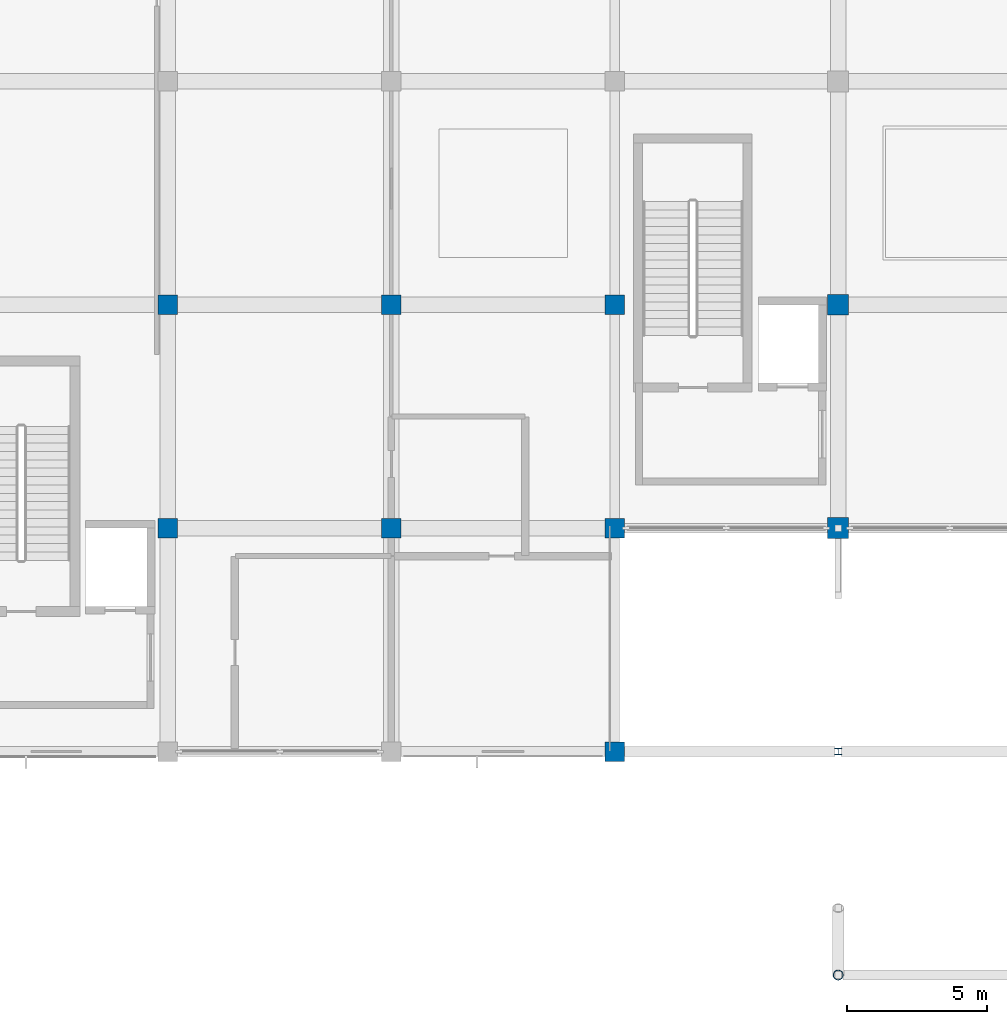
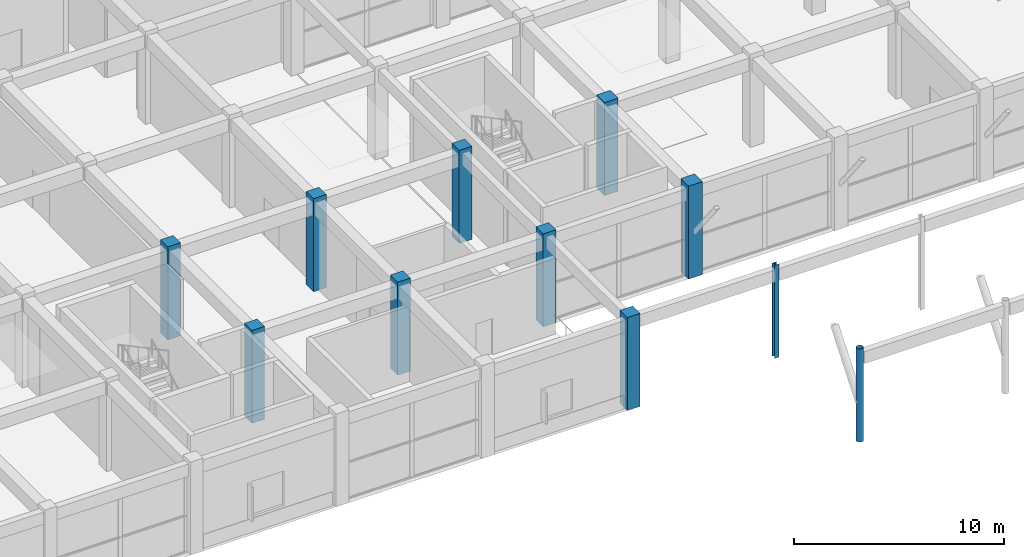
# One storey, part 2 of 69: 11 columns.
"""IFC4 building model written with IfcOpenShell, lengths in metres."""

import ifcopenshell
import ifcopenshell.guid

model = None  # the IFC model being written
_history = None  # IfcOwnerHistory: only IFC2X3 demands one
_inside = {}  # id of a spatial element -> (the spatial element, [elements in it])
_under = {}  # id of a project, library or spatial element -> (it, [spatial elements below it])
_declared = {}  # id of a project -> (the project, [libraries it declares])
_typed = {}  # id of a type object -> (the type object, [elements of that type])
_made_of = {}  # id of a material, layer set ... -> (it, [elements and type objects made of it])


def new_model(schema):
    """Start an empty IFC model of exactly this schema.

    Asked for "IFC4X3", IfcOpenShell would pick the latest addendum, in which some entities
    have other attributes; the version numbers below select the first issue.
    IFC2X3 requires an IfcOwnerHistory on every rooted entity: one is made here for all.
    """
    global model, _history
    if schema == "IFC4X3":
        model = ifcopenshell.file(schema_version=(4, 3, 0, 0))
    else:
        model = ifcopenshell.file(schema=schema)
    _inside.clear()
    _under.clear()
    _declared.clear()
    _typed.clear()
    _made_of.clear()
    _history = None
    if model.schema == "IFC2X3":
        org = make("IfcOrganization", Name="unknown")
        user = make(
            "IfcPersonAndOrganization",
            ThePerson=make("IfcPerson", FamilyName="unknown"),
            TheOrganization=org,
        )
        app = make(
            "IfcApplication",
            ApplicationDeveloper=org,
            Version="unknown",
            ApplicationFullName="unknown",
            ApplicationIdentifier="unknown",
        )
        _history = make(
            "IfcOwnerHistory",
            OwningUser=user,
            OwningApplication=app,
            ChangeAction="ADDED",
            CreationDate=0,
        )
    return model


def make(cls, **values):
    """One entity of the class cls with the attributes given. An attribute that is None is left unset."""
    return model.create_entity(
        cls, **{name: value for name, value in values.items() if value is not None}
    )


def rooted(cls, **values):
    """An entity with a GlobalId (a new one), such as an element, a storey or a relation."""
    return make(cls, GlobalId=ifcopenshell.guid.new(), OwnerHistory=_history, **values)


def si_unit(unit_type, name, prefix=None):
    """IfcSIUnit, for example si_unit("LENGTHUNIT", "METRE", prefix="MILLI")."""
    return make("IfcSIUnit", UnitType=unit_type, Prefix=prefix, Name=name)


def assignment(units):
    """IfcUnitAssignment: the units of a project."""
    return None if units is None else make("IfcUnitAssignment", Units=units)


def point(xyz):
    """IfcCartesianPoint."""
    return None if xyz is None else make("IfcCartesianPoint", Coordinates=xyz)


def direction(xyz):
    """IfcDirection."""
    return None if xyz is None else make("IfcDirection", DirectionRatios=xyz)


def frame(location, z_axis=None, x_axis=None):
    """IfcAxis2Placement3D, a coordinate frame: its origin and axes. An axis left out is left unset."""
    return make(
        "IfcAxis2Placement3D",
        Location=point(location),
        Axis=direction(z_axis),
        RefDirection=direction(x_axis),
    )


def frame_2d(location, x_axis=None):
    """IfcAxis2Placement2D, a coordinate frame in the plane: its origin and x axis."""
    return make(
        "IfcAxis2Placement2D", Location=point(location), RefDirection=direction(x_axis)
    )


def origin():
    """The frame at (0, 0, 0) with its axes left unset."""
    return frame((0.0, 0.0, 0.0))


def origin_2d():
    """The frame at (0, 0) in the plane with its x axis left unset."""
    return frame_2d((0.0, 0.0))


def place(relative_to, where):
    """IfcLocalPlacement: puts the frame where relative to a parent placement (None: the world)."""
    return make(
        "IfcLocalPlacement", PlacementRelTo=relative_to, RelativePlacement=where
    )


def context(
    kind, dimensions, precision=None, world=None, true_north=None, identifier=None
):
    """IfcGeometricRepresentationContext, for example the 3D "Model" context."""
    return make(
        "IfcGeometricRepresentationContext",
        ContextIdentifier=identifier,
        ContextType=kind,
        CoordinateSpaceDimension=dimensions,
        Precision=precision,
        WorldCoordinateSystem=world,
        TrueNorth=true_north,
    )


def subcontext(parent, identifier, kind, view, scale=None):
    """IfcGeometricRepresentationSubContext, for example "Body" below "Model"."""
    return make(
        "IfcGeometricRepresentationSubContext",
        ContextIdentifier=identifier,
        ContextType=kind,
        ParentContext=parent,
        TargetScale=scale,
        TargetView=view,
    )


def project(units=None, contexts=None):
    """IfcProject with its units and contexts."""
    return rooted(
        "IfcProject",
        Name="project",
        RepresentationContexts=contexts,
        UnitsInContext=assignment(units),
    )


def spatial(cls, under=None, at=None, **own):
    """A site, building, storey or space (cls), placed at a placement, below another one or the project."""
    s = rooted(cls, ObjectPlacement=at, **own)
    if under is not None:
        _under.setdefault(under.id(), (under, []))[1].append(s)
    return s


def profile(cls, at=None, kind="AREA", **sizes):
    """A parametric profile (cls). Its sizes go by their IFC names, for example OverallWidth=200.0."""
    return make(cls, ProfileType=kind, Position=at, **sizes)


def rectangle(**sizes):
    """IfcRectangleProfileDef."""
    return profile("IfcRectangleProfileDef", **sizes)


def hollow_circle(**sizes):
    """IfcCircleHollowProfileDef."""
    return profile("IfcCircleHollowProfileDef", **sizes)


def i_section(**sizes):
    """IfcIShapeProfileDef."""
    return profile("IfcIShapeProfileDef", **sizes)


def extrude(swept, where, along, depth):
    """IfcExtrudedAreaSolid: the profile swept, set in the frame where, extruded along a direction by depth."""
    return make(
        "IfcExtrudedAreaSolid",
        SweptArea=swept,
        Position=where,
        ExtrudedDirection=direction(along),
        Depth=depth,
    )


def shape(context_of_items, identifier, shape_type, items):
    """IfcShapeRepresentation: the items that make up one representation, for example the "Body"."""
    return make(
        "IfcShapeRepresentation",
        ContextOfItems=context_of_items,
        RepresentationIdentifier=identifier,
        RepresentationType=shape_type,
        Items=items,
    )


def material(Name=None, Category=None):
    """IfcMaterial."""
    return make("IfcMaterial", Name=Name, Category=Category)


def material_profile(
    of_material, cross_section, Name=None, Category=None, Priority=None
):
    """IfcMaterialProfile: a cross section and its material."""
    return make(
        "IfcMaterialProfile",
        Name=Name,
        Material=of_material,
        Profile=cross_section,
        Priority=Priority,
        Category=Category,
    )


def profile_set(profiles, Name=None, composite=None):
    """IfcMaterialProfileSet."""
    return make(
        "IfcMaterialProfileSet",
        Name=Name,
        MaterialProfiles=profiles,
        CompositeProfile=composite,
    )


def made_of(thing, what):
    """Note that an element or type object is made of a material, layer set ...; save() writes the relation."""
    if what is not None:
        _made_of.setdefault(what.id(), (what, []))[1].append(thing)
    return thing


def type_object(cls, material=None, **own):
    """A type object (cls), such as IfcWallType, which elements share."""
    return made_of(rooted(cls, **own), material)


def element(
    cls,
    number,
    at=None,
    inside=None,
    cuts=None,
    type_object=None,
    material=None,
    context=None,
    identifier="Body",
    shape_type=None,
    held_by="IfcProductDefinitionShape",
    body=None,
    shapes=None,
    **own,
):
    """One element of the class cls, such as IfcWall. Its Tag is "e" and its number.

    at: its placement. inside: the storey or other place that contains it. cuts: it is an
    opening in that element (IfcRelVoidsElement). A single representation is given by context,
    identifier, shape_type and body (its items); several are given by shapes. held_by: the class
    of the entity that holds the representations. save() writes the other relations.
    """
    e = rooted(cls, Tag="e%d" % number, ObjectPlacement=at, **own)
    if body is not None:
        shapes = [shape(context, identifier, shape_type, body)]
    if shapes is not None:
        e.Representation = make(held_by, Representations=shapes)
    if inside is not None:
        _inside.setdefault(inside.id(), (inside, []))[1].append(e)
    if cuts is not None:
        rooted(
            "IfcRelVoidsElement", RelatingBuildingElement=cuts, RelatedOpeningElement=e
        )
    if type_object is not None:
        _typed.setdefault(type_object.id(), (type_object, []))[1].append(e)
    return made_of(e, material)


def aggregate(whole, parts):
    """IfcRelAggregates: a whole, such as a stair, and the parts it consists of."""
    return rooted("IfcRelAggregates", RelatingObject=whole, RelatedObjects=parts)


def save(model, path):
    """Write the relations noted so far, then the file.

    IfcRelAggregates (storeys below a building ...), IfcRelContainedInSpatialStructure (elements
    in a storey), IfcRelDefinesByType, IfcRelAssociatesMaterial and IfcRelDeclares: one each for
    every whole, place, type object, material and project.
    """
    for whole, parts in _under.values():
        aggregate(whole, parts)
    for where, things in _inside.values():
        rooted(
            "IfcRelContainedInSpatialStructure",
            RelatedElements=things,
            RelatingStructure=where,
        )
    for kind, things in _typed.values():
        rooted("IfcRelDefinesByType", RelatedObjects=things, RelatingType=kind)
    for what, things in _made_of.values():
        rooted("IfcRelAssociatesMaterial", RelatedObjects=things, RelatingMaterial=what)
    for by, libraries in _declared.values():
        rooted("IfcRelDeclares", RelatingContext=by, RelatedDefinitions=libraries)
    model.write(path)


model = new_model("IFC4")

# Units and contexts
model_context = context("Model", 3, precision=1e-05, world=origin(), true_north=direction((0.0, 1.0)))
body_context = subcontext(model_context, "Body", "Model", "MODEL_VIEW")
ifc_project = project(units=[si_unit("LENGTHUNIT", "METRE"), si_unit("AREAUNIT", "SQUARE_METRE"), si_unit("VOLUMEUNIT", "CUBIC_METRE"), si_unit("PLANEANGLEUNIT", "RADIAN"), si_unit("MASSUNIT", "GRAM", prefix="KILO")], contexts=[model_context])

# Site, building, storey
site_placement = place(None, origin())
site = spatial("IfcSite", under=ifc_project, at=site_placement, CompositionType="ELEMENT")
building_placement = place(site_placement, origin())
building = spatial("IfcBuilding", under=site, at=building_placement, Name="Kenh Van Central Station", CompositionType="ELEMENT")
storey_placement = place(building_placement, frame((0.0, 0.0, 5.39990234375)))
storey = spatial("IfcBuildingStorey", under=building, at=storey_placement, Name="L01", CompositionType="ELEMENT", Elevation=5.39990234375)

# Columns
ifc_material_1 = material(Name="Concrete C40/50", Category="concrete")
ifc_material_profile_1 = material_profile(ifc_material_1, rectangle(XDim=0.699951171875, YDim=0.699951171875, at=origin_2d()), Name="RC 700x700")
ifc_profile_set_1 = profile_set([ifc_material_profile_1], Name="Concrete C40/50")
column_type_1 = type_object("IfcColumnType", Name="COL-RC-700x700", PredefinedType="COLUMN", material=ifc_profile_set_1)
for number, where, z_axis, x_axis, name in (
    (1, (32.0, 16.0, 0.0), (0.0, 0.0, 1.0), (1.0, 0.0, 0.0), "L01 column CW-032-016"),
    (2, (32.0, 24.0, 0.0), (0.0, 0.0, 1.0), (1.0, 0.0, 0.0), "L01 column CW-032-024"),
    (3, (40.0, 16.0, 0.0), (0.0, 0.0, 1.0), (1.0, 0.0, 0.0), "L01 column CW-040-016"),
    (4, (40.0, 24.0, 0.0), (0.0, 0.0, 1.0), (1.0, 0.0, 0.0), "L01 column CW-040-024"),
    (5, (48.0, 8.0, 0.0), (0.0, 0.0, 1.0), (1.0, 0.0, 0.0), "L01 column CW-048-008"),
    (6, (48.0, 16.0, 0.0), (0.0, 0.0, 1.0), (1.0, 0.0, 0.0), "L01 column CW-048-016"),
    (7, (48.0, 24.0, 0.0), (0.0, 0.0, 1.0), (1.0, 0.0, 0.0), "L01 column CW-048-024"),
):
    element("IfcColumn", number, at=place(storey_placement, frame(where, z_axis=z_axis, x_axis=x_axis)), inside=storey, type_object=column_type_1, Name=name, PredefinedType="COLUMN", context=body_context, shape_type="SweptSolid", body=[
        extrude(rectangle(XDim=0.699951171875, YDim=0.699951171875, at=origin_2d()), origin(), (0.0, 0.0, 1.0), 5.400146484375),
    ])
ifc_material_profile_2 = material_profile(ifc_material_1, rectangle(XDim=0.75, YDim=0.75, at=origin_2d()), Name="RC 750x750")
ifc_profile_set_2 = profile_set([ifc_material_profile_2], Name="Concrete C40/50")
column_type_2 = type_object("IfcColumnType", Name="COL-RC-750x750", PredefinedType="COLUMN", material=ifc_profile_set_2)
for number, where, z_axis, x_axis, name in (
    (8, (56.0, 16.0, 0.0), (0.0, 0.0, 1.0), (1.0, 0.0, 0.0), "L01 column CC-056-016"),
    (9, (56.0, 24.0, 0.0), (0.0, 0.0, 1.0), (1.0, 0.0, 0.0), "L01 column CC-056-024"),
):
    element("IfcColumn", number, at=place(storey_placement, frame(where, z_axis=z_axis, x_axis=x_axis)), inside=storey, type_object=column_type_2, Name=name, PredefinedType="COLUMN", context=body_context, shape_type="SweptSolid", body=[
        extrude(rectangle(XDim=0.75, YDim=0.75, at=origin_2d()), origin(), (0.0, 0.0, 1.0), 5.400146484375),
    ])
ifc_material_2 = material(Name="Steel S355", Category="steel")
ifc_material_profile_3 = material_profile(ifc_material_2, hollow_circle(Radius=0.177734375, WallThickness=0.012451171875, at=origin_2d()), Name="CHS 355.6x12.5")
ifc_profile_set_3 = profile_set([ifc_material_profile_3], Name="Steel S355")
column_type_3 = type_object("IfcColumnType", Name="COL-STL-CAN356", PredefinedType="COLUMN", material=ifc_profile_set_3)
column_1_placement = place(storey_placement, frame((56.0, 0.0, 0.0), z_axis=(0.0, 0.0, 1.0), x_axis=(1.0, 0.0, 0.0)))
element("IfcColumn", 10, at=column_1_placement, inside=storey, type_object=column_type_3, Name="L01 column CF-056-000", PredefinedType="COLUMN", context=body_context, shape_type="SweptSolid", body=[
    extrude(hollow_circle(Radius=0.177734375, WallThickness=0.012451171875, at=origin_2d()), origin(), (0.0, 0.0, 1.0), 5.400146484375),
])
ifc_material_profile_4 = material_profile(ifc_material_2, i_section(OverallWidth=0.239990234375, OverallDepth=0.239990234375, WebThickness=0.010009765625, FlangeThickness=0.01708984375, FilletRadius=0.02099609375, at=origin_2d()), Name="HEB 240")
ifc_profile_set_4 = profile_set([ifc_material_profile_4], Name="Steel S355")
column_type_4 = type_object("IfcColumnType", Name="COL-STL-HEB240", PredefinedType="COLUMN", material=ifc_profile_set_4)
column_2_placement = place(storey_placement, frame((56.0, 8.0, 0.0), z_axis=(0.0, 0.0, 1.0), x_axis=(1.0, 0.0, 0.0)))
element("IfcColumn", 11, at=column_2_placement, inside=storey, type_object=column_type_4, Name="L01 column CF-056-008", PredefinedType="COLUMN", context=body_context, shape_type="SweptSolid", body=[
    extrude(i_section(OverallWidth=0.239990234375, OverallDepth=0.239990234375, WebThickness=0.010009765625, FlangeThickness=0.01708984375, FilletRadius=0.02099609375, at=origin_2d()), origin(), (0.0, 0.0, 1.0), 5.400146484375),
])

save(model, "model.ifc")
